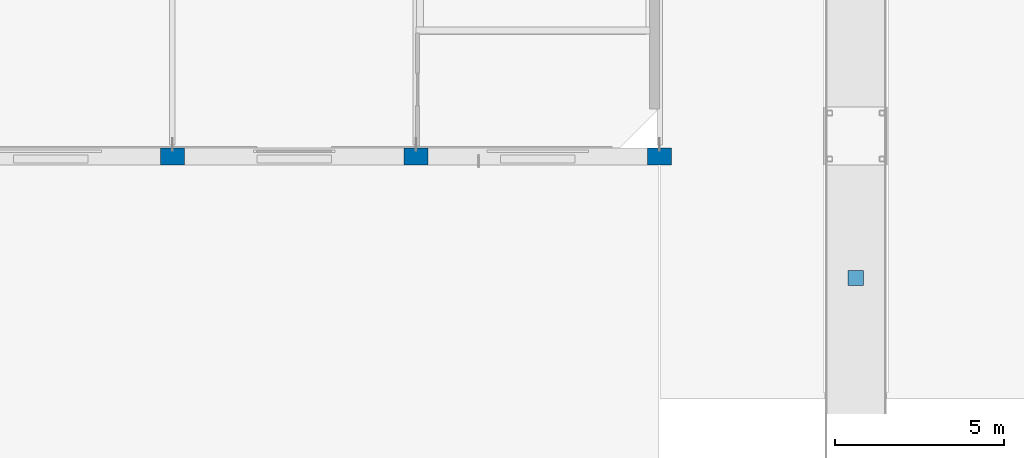
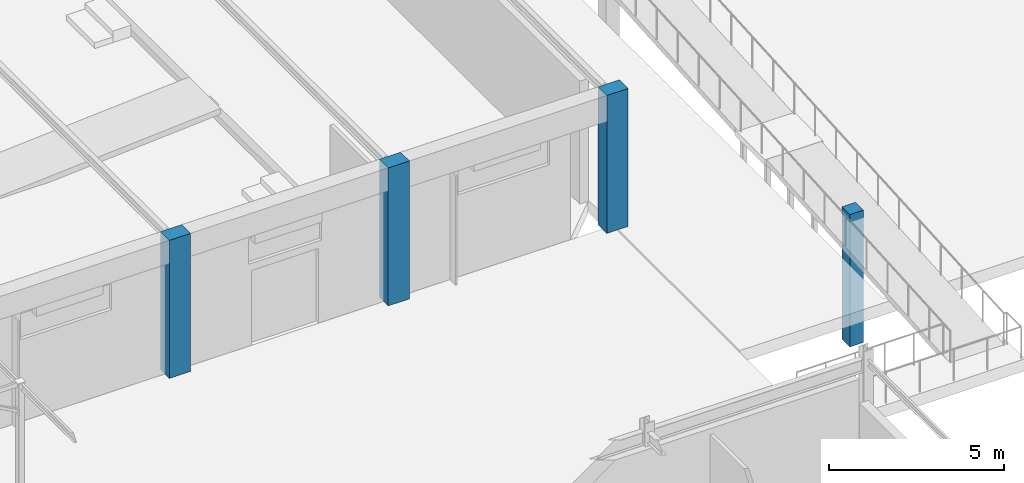
# One storey, part 10 of 85: 4 columns.
"""IFC4 building model written with IfcOpenShell, lengths in metres."""

import ifcopenshell
import ifcopenshell.guid

model = None  # the IFC model being written
_history = None  # IfcOwnerHistory: only IFC2X3 demands one
_inside = {}  # id of a spatial element -> (the spatial element, [elements in it])
_under = {}  # id of a project, library or spatial element -> (it, [spatial elements below it])
_declared = {}  # id of a project -> (the project, [libraries it declares])
_typed = {}  # id of a type object -> (the type object, [elements of that type])
_made_of = {}  # id of a material, layer set ... -> (it, [elements and type objects made of it])


def new_model(schema):
    """Start an empty IFC model of exactly this schema.

    Asked for "IFC4X3", IfcOpenShell would pick the latest addendum, in which some entities
    have other attributes; the version numbers below select the first issue.
    IFC2X3 requires an IfcOwnerHistory on every rooted entity: one is made here for all.
    """
    global model, _history
    if schema == "IFC4X3":
        model = ifcopenshell.file(schema_version=(4, 3, 0, 0))
    else:
        model = ifcopenshell.file(schema=schema)
    _inside.clear()
    _under.clear()
    _declared.clear()
    _typed.clear()
    _made_of.clear()
    _history = None
    if model.schema == "IFC2X3":
        org = make("IfcOrganization", Name="unknown")
        user = make(
            "IfcPersonAndOrganization",
            ThePerson=make("IfcPerson", FamilyName="unknown"),
            TheOrganization=org,
        )
        app = make(
            "IfcApplication",
            ApplicationDeveloper=org,
            Version="unknown",
            ApplicationFullName="unknown",
            ApplicationIdentifier="unknown",
        )
        _history = make(
            "IfcOwnerHistory",
            OwningUser=user,
            OwningApplication=app,
            ChangeAction="ADDED",
            CreationDate=0,
        )
    return model


def make(cls, **values):
    """One entity of the class cls with the attributes given. An attribute that is None is left unset."""
    return model.create_entity(
        cls, **{name: value for name, value in values.items() if value is not None}
    )


def rooted(cls, **values):
    """An entity with a GlobalId (a new one), such as an element, a storey or a relation."""
    return make(cls, GlobalId=ifcopenshell.guid.new(), OwnerHistory=_history, **values)


def si_unit(unit_type, name, prefix=None):
    """IfcSIUnit, for example si_unit("LENGTHUNIT", "METRE", prefix="MILLI")."""
    return make("IfcSIUnit", UnitType=unit_type, Prefix=prefix, Name=name)


def assignment(units):
    """IfcUnitAssignment: the units of a project."""
    return None if units is None else make("IfcUnitAssignment", Units=units)


def point(xyz):
    """IfcCartesianPoint."""
    return None if xyz is None else make("IfcCartesianPoint", Coordinates=xyz)


def direction(xyz):
    """IfcDirection."""
    return None if xyz is None else make("IfcDirection", DirectionRatios=xyz)


def frame(location, z_axis=None, x_axis=None):
    """IfcAxis2Placement3D, a coordinate frame: its origin and axes. An axis left out is left unset."""
    return make(
        "IfcAxis2Placement3D",
        Location=point(location),
        Axis=direction(z_axis),
        RefDirection=direction(x_axis),
    )


def frame_2d(location, x_axis=None):
    """IfcAxis2Placement2D, a coordinate frame in the plane: its origin and x axis."""
    return make(
        "IfcAxis2Placement2D", Location=point(location), RefDirection=direction(x_axis)
    )


def origin():
    """The frame at (0, 0, 0) with its axes left unset."""
    return frame((0.0, 0.0, 0.0))


def origin_2d():
    """The frame at (0, 0) in the plane with its x axis left unset."""
    return frame_2d((0.0, 0.0))


def place(relative_to, where):
    """IfcLocalPlacement: puts the frame where relative to a parent placement (None: the world)."""
    return make(
        "IfcLocalPlacement", PlacementRelTo=relative_to, RelativePlacement=where
    )


def context(
    kind, dimensions, precision=None, world=None, true_north=None, identifier=None
):
    """IfcGeometricRepresentationContext, for example the 3D "Model" context."""
    return make(
        "IfcGeometricRepresentationContext",
        ContextIdentifier=identifier,
        ContextType=kind,
        CoordinateSpaceDimension=dimensions,
        Precision=precision,
        WorldCoordinateSystem=world,
        TrueNorth=true_north,
    )


def subcontext(parent, identifier, kind, view, scale=None):
    """IfcGeometricRepresentationSubContext, for example "Body" below "Model"."""
    return make(
        "IfcGeometricRepresentationSubContext",
        ContextIdentifier=identifier,
        ContextType=kind,
        ParentContext=parent,
        TargetScale=scale,
        TargetView=view,
    )


def project(units=None, contexts=None):
    """IfcProject with its units and contexts."""
    return rooted(
        "IfcProject",
        Name="project",
        RepresentationContexts=contexts,
        UnitsInContext=assignment(units),
    )


def spatial(cls, under=None, at=None, **own):
    """A site, building, storey or space (cls), placed at a placement, below another one or the project."""
    s = rooted(cls, ObjectPlacement=at, **own)
    if under is not None:
        _under.setdefault(under.id(), (under, []))[1].append(s)
    return s


def profile(cls, at=None, kind="AREA", **sizes):
    """A parametric profile (cls). Its sizes go by their IFC names, for example OverallWidth=200.0."""
    return make(cls, ProfileType=kind, Position=at, **sizes)


def rectangle(**sizes):
    """IfcRectangleProfileDef."""
    return profile("IfcRectangleProfileDef", **sizes)


def extrude(swept, where, along, depth):
    """IfcExtrudedAreaSolid: the profile swept, set in the frame where, extruded along a direction by depth."""
    return make(
        "IfcExtrudedAreaSolid",
        SweptArea=swept,
        Position=where,
        ExtrudedDirection=direction(along),
        Depth=depth,
    )


def shape(context_of_items, identifier, shape_type, items):
    """IfcShapeRepresentation: the items that make up one representation, for example the "Body"."""
    return make(
        "IfcShapeRepresentation",
        ContextOfItems=context_of_items,
        RepresentationIdentifier=identifier,
        RepresentationType=shape_type,
        Items=items,
    )


def material(Name=None, Category=None):
    """IfcMaterial."""
    return make("IfcMaterial", Name=Name, Category=Category)


def material_profile(
    of_material, cross_section, Name=None, Category=None, Priority=None
):
    """IfcMaterialProfile: a cross section and its material."""
    return make(
        "IfcMaterialProfile",
        Name=Name,
        Material=of_material,
        Profile=cross_section,
        Priority=Priority,
        Category=Category,
    )


def profile_set(profiles, Name=None, composite=None):
    """IfcMaterialProfileSet."""
    return make(
        "IfcMaterialProfileSet",
        Name=Name,
        MaterialProfiles=profiles,
        CompositeProfile=composite,
    )


def made_of(thing, what):
    """Note that an element or type object is made of a material, layer set ...; save() writes the relation."""
    if what is not None:
        _made_of.setdefault(what.id(), (what, []))[1].append(thing)
    return thing


def type_object(cls, material=None, **own):
    """A type object (cls), such as IfcWallType, which elements share."""
    return made_of(rooted(cls, **own), material)


def element(
    cls,
    number,
    at=None,
    inside=None,
    cuts=None,
    type_object=None,
    material=None,
    context=None,
    identifier="Body",
    shape_type=None,
    held_by="IfcProductDefinitionShape",
    body=None,
    shapes=None,
    **own,
):
    """One element of the class cls, such as IfcWall. Its Tag is "e" and its number.

    at: its placement. inside: the storey or other place that contains it. cuts: it is an
    opening in that element (IfcRelVoidsElement). A single representation is given by context,
    identifier, shape_type and body (its items); several are given by shapes. held_by: the class
    of the entity that holds the representations. save() writes the other relations.
    """
    e = rooted(cls, Tag="e%d" % number, ObjectPlacement=at, **own)
    if body is not None:
        shapes = [shape(context, identifier, shape_type, body)]
    if shapes is not None:
        e.Representation = make(held_by, Representations=shapes)
    if inside is not None:
        _inside.setdefault(inside.id(), (inside, []))[1].append(e)
    if cuts is not None:
        rooted(
            "IfcRelVoidsElement", RelatingBuildingElement=cuts, RelatedOpeningElement=e
        )
    if type_object is not None:
        _typed.setdefault(type_object.id(), (type_object, []))[1].append(e)
    return made_of(e, material)


def aggregate(whole, parts):
    """IfcRelAggregates: a whole, such as a stair, and the parts it consists of."""
    return rooted("IfcRelAggregates", RelatingObject=whole, RelatedObjects=parts)


def save(model, path):
    """Write the relations noted so far, then the file.

    IfcRelAggregates (storeys below a building ...), IfcRelContainedInSpatialStructure (elements
    in a storey), IfcRelDefinesByType, IfcRelAssociatesMaterial and IfcRelDeclares: one each for
    every whole, place, type object, material and project.
    """
    for whole, parts in _under.values():
        aggregate(whole, parts)
    for where, things in _inside.values():
        rooted(
            "IfcRelContainedInSpatialStructure",
            RelatedElements=things,
            RelatingStructure=where,
        )
    for kind, things in _typed.values():
        rooted("IfcRelDefinesByType", RelatedObjects=things, RelatingType=kind)
    for what, things in _made_of.values():
        rooted("IfcRelAssociatesMaterial", RelatedObjects=things, RelatingMaterial=what)
    for by, libraries in _declared.values():
        rooted("IfcRelDeclares", RelatingContext=by, RelatedDefinitions=libraries)
    model.write(path)


model = new_model("IFC4")

# Units and contexts
model_context = context("Model", 3, precision=1e-05, world=origin(), true_north=direction((0.0, 1.0)))
body_context = subcontext(model_context, "Body", "Model", "MODEL_VIEW")
ifc_project = project(units=[si_unit("LENGTHUNIT", "METRE"), si_unit("AREAUNIT", "SQUARE_METRE"), si_unit("VOLUMEUNIT", "CUBIC_METRE"), si_unit("PLANEANGLEUNIT", "RADIAN"), si_unit("MASSUNIT", "GRAM", prefix="KILO")], contexts=[model_context])

# Site, building, storey
site_placement = place(None, origin())
site = spatial("IfcSite", under=ifc_project, at=site_placement, CompositionType="ELEMENT")
building_placement = place(site_placement, origin())
building = spatial("IfcBuilding", under=site, at=building_placement, Name="Ochrevale Crest", CompositionType="ELEMENT")
storey_placement = place(building_placement, origin())
storey = spatial("IfcBuildingStorey", under=building, at=storey_placement, Name="L00", CompositionType="ELEMENT", Elevation=0.0)

# Columns
ifc_material_1 = material(Name="Precast concrete C40/50", Category="concrete")
ifc_material_profile_1 = material_profile(ifc_material_1, rectangle(XDim=0.449951171875, YDim=0.449951171875, at=origin_2d()), Name="RC 450x450")
ifc_profile_set_1 = profile_set([ifc_material_profile_1], Name="Precast concrete C40/50")
column_type_1 = type_object("IfcColumnType", Name="COL-RC450x450", PredefinedType="COLUMN", material=ifc_profile_set_1)
column_placement = place(storey_placement, frame((113.800048828125, 39.60009765625, -3.860107421875), z_axis=(0.0, 0.0, 1.0), x_axis=(1.0, 0.0, 0.0)))
element("IfcColumn", 1, at=column_placement, inside=storey, type_object=column_type_1, Name="Foundation support pier FTG-PF-RE1A", PredefinedType="COLUMN", context=body_context, shape_type="SweptSolid", body=[
    extrude(rectangle(XDim=0.449951171875, YDim=0.449951171875, at=origin_2d()), origin(), (0.0, 0.0, 1.0), 4.610107421875),
])
ifc_material_2 = material(Name="Precast concrete C50/60", Category="concrete")
ifc_material_profile_2 = material_profile(ifc_material_2, rectangle(XDim=0.5, YDim=0.699951171875, at=origin_2d()), Name="RC 500x700")
ifc_profile_set_2 = profile_set([ifc_material_profile_2], Name="Precast concrete C50/60")
column_type_2 = type_object("IfcColumnType", Name="COL-RC500x700", PredefinedType="COLUMN", material=ifc_profile_set_2)
for number, where, z_axis, x_axis, name in (
    (2, (93.60009765625, 43.199951171875, 0.0), (0.0, 0.0, 1.0), (0.0, 1.0, 0.0), "Community Hall buttress column 6-S"),
    (3, (100.800048828125, 43.199951171875, 0.0), (0.0, 0.0, 1.0), (0.0, 1.0, 0.0), "Community Hall buttress column 7-S"),
    (4, (108.0, 43.199951171875, 0.0), (0.0, 0.0, 1.0), (0.0, 1.0, 0.0), "Community Hall buttress column 8-S"),
):
    element("IfcColumn", number, at=place(storey_placement, frame(where, z_axis=z_axis, x_axis=x_axis)), inside=storey, type_object=column_type_2, Name=name, PredefinedType="COLUMN", context=body_context, shape_type="SweptSolid", body=[
        extrude(rectangle(XDim=0.5, YDim=0.699951171875, at=origin_2d()), origin(), (0.0, 0.0, 1.0), 4.800048828125),
    ])

save(model, "model.ifc")
